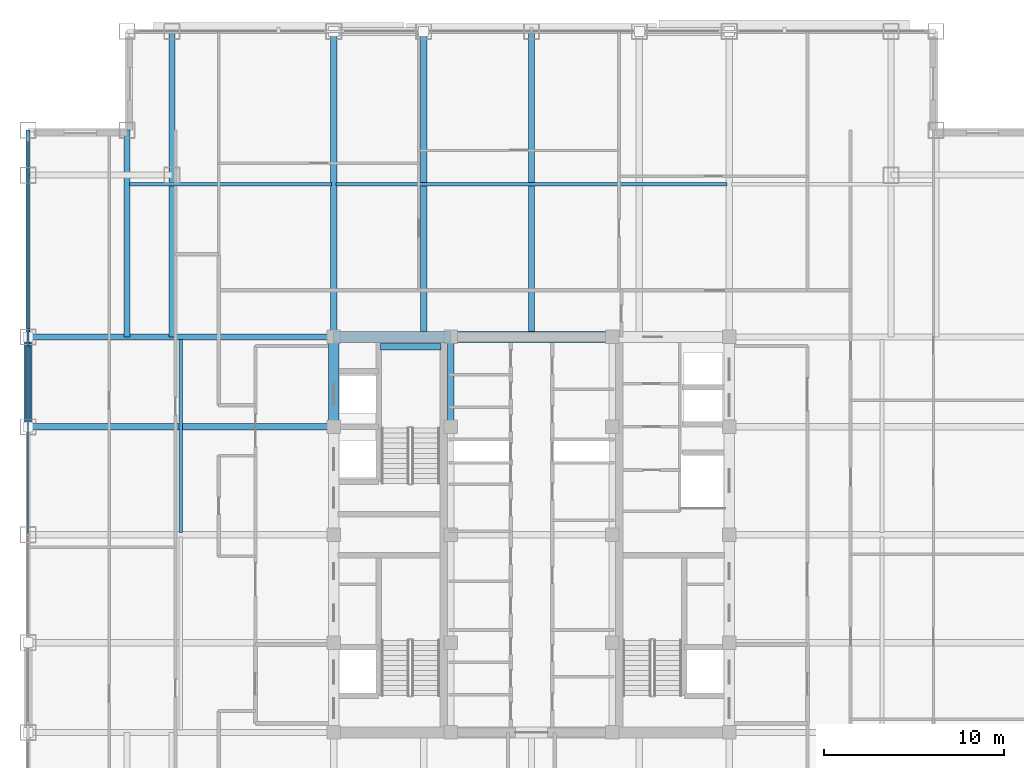
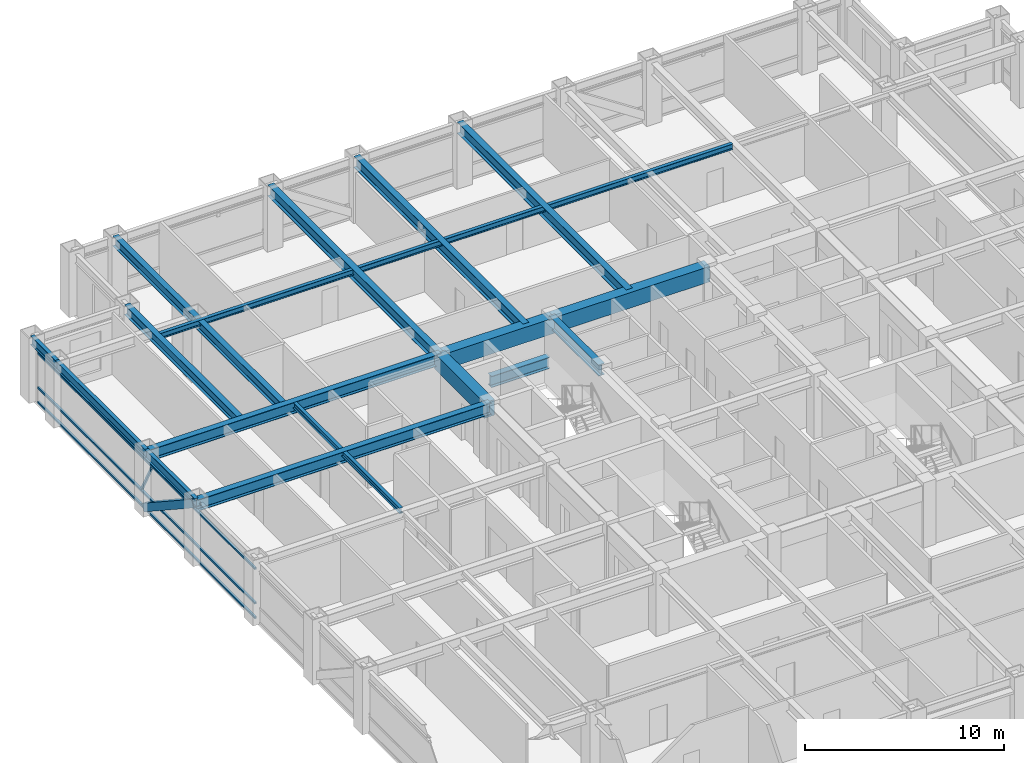
# One storey, part 11 of 27: 18 beams, 5 members, 1 element without a shape of its own.
"""IFC4 building model written with IfcOpenShell, lengths in metres."""

from ifc_helpers import new_model, si_unit, direction, frame, origin, origin_2d, place, context, subcontext, project, spatial, rectangle, hollow_rectangle, i_section, extrude, source, transform, mapped, material, material_profile, profile_set, type_object, element, aggregate, save


model = new_model("IFC4")

# Units and contexts
model_context = context("Model", 3, precision=1e-05, world=origin(), true_north=direction((0.0, 1.0)))
body_context = subcontext(model_context, "Body", "Model", "MODEL_VIEW")
ifc_project = project(units=[si_unit("LENGTHUNIT", "METRE"), si_unit("AREAUNIT", "SQUARE_METRE"), si_unit("VOLUMEUNIT", "CUBIC_METRE"), si_unit("PLANEANGLEUNIT", "RADIAN"), si_unit("MASSUNIT", "GRAM", prefix="KILO")], contexts=[model_context])

# Site, building, storey
site_placement = place(None, origin())
site = spatial("IfcSite", under=ifc_project, at=site_placement, CompositionType="ELEMENT")
building_placement = place(site_placement, origin())
building = spatial("IfcBuilding", under=site, at=building_placement, Name="Khorayat Bourse Tower", CompositionType="ELEMENT")
storey_placement = place(building_placement, frame((0.0, 0.0, 285.5)))
storey = spatial("IfcBuildingStorey", under=building, at=storey_placement, Name="L67", CompositionType="ELEMENT", Elevation=285.5)

# Beams
ifc_material_1 = material(Name="Steel ASTM A992 Grade 50", Category="steel")
ifc_material_profile_1 = material_profile(ifc_material_1, i_section(OverallWidth=0.35498046875, OverallDepth=0.695068359375, WebThickness=0.015380859375, FlangeThickness=0.02490234375, FilletRadius=0.01806640625, at=origin_2d()), Name="W690X217")
ifc_profile_set_1 = profile_set([ifc_material_profile_1], Name="Steel ASTM A992 Grade 50")
beam_type_1 = type_object("IfcBeamType", Name="BM-GIRD-690", PredefinedType="BEAM", material=ifc_profile_set_1)
shared_shape_1 = source(origin(), body_context, "Body", "SweptSolid", [
    extrude(i_section(OverallWidth=0.35498046875, OverallDepth=0.695068359375, WebThickness=0.015380859375, FlangeThickness=0.02490234375, FilletRadius=0.01806640625, at=origin_2d()), origin(), (0.0, 0.0, 1.0), 5.0),
])
beam_1_placement = place(storey_placement, frame((-4.5, 6.0, 3.4326171875), z_axis=(0.0, 1.0, 0.0), x_axis=(-1.0, 0.0, 0.0)))
element("IfcBeam", 1, at=beam_1_placement, inside=storey, type_object=beam_type_1, Name="L67 BM-GIRD-690 BM-L67-CRX-08", PredefinedType="BEAM", context=body_context, shape_type="MappedRepresentation", body=[
    mapped(shared_shape_1, transform((0.0, 0.0, 0.0), scale=1.0)),
])
shared_shape_2 = source(origin(), body_context, "Body", "SweptSolid", [
    extrude(i_section(OverallWidth=0.35498046875, OverallDepth=0.695068359375, WebThickness=0.015380859375, FlangeThickness=0.02490234375, FilletRadius=0.01806640625, at=origin_2d()), origin(), (0.0, 0.0, 1.0), 3.39990234375),
])
beam_2_placement = place(storey_placement, frame((-8.419921875, 10.449951171875, 1.452392578125), z_axis=(1.0, 0.0, 0.0), x_axis=(0.0, 1.0, 0.0)))
element("IfcBeam", 2, at=beam_2_placement, inside=storey, type_object=beam_type_1, Name="L67 BM-GIRD-690 BM-L67-ST2L", PredefinedType="BEAM", context=body_context, shape_type="MappedRepresentation", body=[
    mapped(shared_shape_2, transform((0.0, 0.0, 0.0), scale=1.0)),
])
ifc_material_profile_2 = material_profile(ifc_material_1, i_section(OverallWidth=0.324951171875, OverallDepth=0.615966796875, WebThickness=0.013916015625, FlangeThickness=0.021484375, FilletRadius=0.01611328125, at=origin_2d()), Name="W610X174")
ifc_profile_set_2 = profile_set([ifc_material_profile_2], Name="Steel ASTM A992 Grade 50")
beam_type_2 = type_object("IfcBeamType", Name="BM-GIRD-610", PredefinedType="BEAM", material=ifc_profile_set_2)
shared_shape_3 = source(origin(), body_context, "Body", "SweptSolid", [
    extrude(i_section(OverallWidth=0.324951171875, OverallDepth=0.615966796875, WebThickness=0.013916015625, FlangeThickness=0.021484375, FilletRadius=0.01611328125, at=origin_2d()), origin(), (0.0, 0.0, 1.0), 17.0),
])
beam_3_placement = place(storey_placement, frame((-20.0, 11.0, 3.471923828125), z_axis=(0.0, 1.0, 0.0), x_axis=(-1.0, 0.0, 0.0)))
element("IfcBeam", 3, at=beam_3_placement, inside=storey, type_object=beam_type_2, Name="L67 BM-GIRD-610 BM-L67-CNRY-085", PredefinedType="BEAM", context=body_context, shape_type="MappedRepresentation", body=[
    mapped(shared_shape_3, transform((0.0, 0.0, 0.0), scale=1.0)),
])
ifc_material_2 = material(Name="Concrete C60/75", Category="concrete")
ifc_material_profile_3 = material_profile(ifc_material_2, rectangle(XDim=0.60009765625, YDim=0.949951171875, at=origin_2d()), Name="RC 600x950")
ifc_profile_set_3 = profile_set([ifc_material_profile_3], Name="Concrete C60/75")
beam_type_3 = type_object("IfcBeamType", Name="BM-COUP-950", PredefinedType="BEAM", material=ifc_profile_set_3)
shared_shape_4 = source(origin(), body_context, "Body", "SweptSolid", [
    extrude(rectangle(XDim=0.60009765625, YDim=0.949951171875, at=origin_2d()), origin(), (0.0, 0.0, 1.0), 5.0),
])
beam_4_placement = place(storey_placement, frame((-11.0, 6.0, 3.304931640625), z_axis=(0.0, 1.0, 0.0), x_axis=(-1.0, 0.0, 0.0)))
element("IfcBeam", 4, at=beam_4_placement, inside=storey, type_object=beam_type_3, Name="L67 BM-COUP-950 BM-L67-CRX-04", PredefinedType="BEAM", context=body_context, shape_type="MappedRepresentation", body=[
    mapped(shared_shape_4, transform((0.0, 0.0, 0.0), scale=1.0)),
])
shared_shape_5 = source(origin(), body_context, "Body", "SweptSolid", [
    extrude(rectangle(XDim=0.60009765625, YDim=0.949951171875, at=origin_2d()), origin(), (0.0, 0.0, 1.0), 6.5),
])
beam_5_placement = place(storey_placement, frame((-11.0, 11.0, 3.304931640625), z_axis=(1.0, 0.0, 0.0), x_axis=(0.0, 1.0, 0.0)))
element("IfcBeam", 5, at=beam_5_placement, inside=storey, type_object=beam_type_3, Name="L67 BM-COUP-950 BM-L67-CRY-20", PredefinedType="BEAM", context=body_context, shape_type="MappedRepresentation", body=[
    mapped(shared_shape_5, transform((0.0, 0.0, 0.0), scale=1.0)),
])
shared_shape_6 = source(origin(), body_context, "Body", "SweptSolid", [
    extrude(rectangle(XDim=0.60009765625, YDim=0.949951171875, at=origin_2d()), origin(), (0.0, 0.0, 1.0), 9.0),
])
beam_6_placement = place(storey_placement, frame((-4.5, 11.0, 3.304931640625), z_axis=(1.0, 0.0, 0.0), x_axis=(0.0, 1.0, 0.0)))
element("IfcBeam", 6, at=beam_6_placement, inside=storey, type_object=beam_type_3, Name="L67 BM-COUP-950 BM-L67-CRY-21", PredefinedType="BEAM", context=body_context, shape_type="MappedRepresentation", body=[
    mapped(shared_shape_6, transform((0.0, 0.0, 0.0), scale=1.0)),
])

# Member
ifc_material_3 = material(Name="Steel EN 10025-4 S460M", Category="steel")
ifc_material_profile_4 = material_profile(ifc_material_3, hollow_rectangle(XDim=0.449951171875, YDim=0.449951171875, WallThickness=0.02490234375, at=origin_2d()), Name="HSS 450x450x25")
ifc_profile_set_4 = profile_set([ifc_material_profile_4], Name="Steel EN 10025-4 S460M")
member_type_1 = type_object("IfcMemberType", Name="MBR-TUBE-450", PredefinedType="BRACE", material=ifc_profile_set_4)
shared_shape_7 = source(origin(), body_context, "Body", "SweptSolid", [
    extrude(hollow_rectangle(XDim=0.449951171875, YDim=0.449951171875, WallThickness=0.02490234375, at=origin_2d()), origin(), (0.0, 0.0, 1.0), 5.979736328125),
])
member_1_placement = place(storey_placement, frame((-28.0, 6.0, 3.530029296875), z_axis=(0.0, 0.836141536525, -0.548513747227), x_axis=(-1.0, 0.0, 0.0)))
element("IfcMember", 7, at=member_1_placement, inside=storey, type_object=member_type_1, Name="L67 Perimeter Tube Brace 06", PredefinedType="BRACE", context=body_context, shape_type="MappedRepresentation", body=[
    mapped(shared_shape_7, transform((0.0, 0.0, 0.0), scale=1.0)),
])

# Beams
shared_shape_8 = source(origin(), body_context, "Body", "SweptSolid", [
    extrude(i_section(OverallWidth=0.35498046875, OverallDepth=0.695068359375, WebThickness=0.015380859375, FlangeThickness=0.02490234375, FilletRadius=0.01806640625, at=origin_2d()), origin(), (0.0, 0.0, 1.0), 17.0),
])
for number, where, z_axis, x_axis, name in (
    (8, (-11.0, 11.0, 3.4326171875), (0.0, 1.0, 0.0), (-1.0, 0.0, 0.0), "L67 BM-GIRD-690 BM-L67-RADY-064"),
    (9, (-6.0, 11.0, 3.4326171875), (0.0, 1.0, 0.0), (-1.0, 0.0, 0.0), "L67 BM-GIRD-690 BM-L67-RADY-066"),
    (10, (0.0, 11.0, 3.4326171875), (0.0, 1.0, 0.0), (-1.0, 0.0, 0.0), "L67 BM-GIRD-690 BM-L67-RADY-068"),
    (11, (-28.0, 6.0, 3.4326171875), (1.0, 0.0, 0.0), (0.0, 1.0, 0.0), "L67 BM-GIRD-690 BM-L67-RADX-081"),
    (12, (-28.0, 11.0, 3.4326171875), (1.0, 0.0, 0.0), (0.0, 1.0, 0.0), "L67 BM-GIRD-690 BM-L67-RADX-083"),
):
    element("IfcBeam", number, at=place(storey_placement, frame(where, z_axis=z_axis, x_axis=x_axis)), inside=storey, type_object=beam_type_1, Name=name, PredefinedType="BEAM", context=body_context, shape_type="MappedRepresentation", body=[
        mapped(shared_shape_8, transform((0.0, 0.0, 0.0), scale=1.0)),
    ])
shared_shape_9 = source(origin(), body_context, "Body", "SweptSolid", [
    extrude(i_section(OverallWidth=0.324951171875, OverallDepth=0.615966796875, WebThickness=0.013916015625, FlangeThickness=0.021484375, FilletRadius=0.01611328125, at=origin_2d()), origin(), (0.0, 0.0, 1.0), 11.5),
])
beam_7_placement = place(storey_placement, frame((-22.5, 11.0, 3.471923828125), z_axis=(0.0, 1.0, 0.0), x_axis=(-1.0, 0.0, 0.0)))
element("IfcBeam", 13, at=beam_7_placement, inside=storey, type_object=beam_type_2, Name="L67 BM-GIRD-610 BM-L67-CNRY-089", PredefinedType="BEAM", context=body_context, shape_type="MappedRepresentation", body=[
    mapped(shared_shape_9, transform((0.0, 0.0, 0.0), scale=1.0)),
])
ifc_material_profile_5 = material_profile(ifc_material_1, i_section(OverallWidth=0.202880859375, OverallDepth=0.346923828125, WebThickness=0.0078125, FlangeThickness=0.013427734375, FilletRadius=0.010009765625, at=origin_2d()), Name="W360X64")
ifc_profile_set_5 = profile_set([ifc_material_profile_5], Name="Steel ASTM A992 Grade 50")
beam_type_4 = type_object("IfcBeamType", Name="BM-JOIST-360", PredefinedType="JOIST", material=ifc_profile_set_5)
shared_shape_10 = source(origin(), body_context, "Body", "SweptSolid", [
    extrude(i_section(OverallWidth=0.202880859375, OverallDepth=0.346923828125, WebThickness=0.0078125, FlangeThickness=0.013427734375, FilletRadius=0.010009765625, at=origin_2d()), origin(), (0.0, 0.0, 1.0), 11.240234375),
])
beam_8_placement = place(storey_placement, frame((-22.3701171875, 19.5, 3.6064453125), z_axis=(1.0, 0.0, 0.0), x_axis=(0.0, 1.0, 0.0)))
element("IfcBeam", 14, at=beam_8_placement, inside=storey, type_object=beam_type_4, Name="L67 BM-JOIST-360 BM-L67-JSTX-099", PredefinedType="JOIST", context=body_context, shape_type="MappedRepresentation", body=[
    mapped(shared_shape_10, transform((0.0, 0.0, 0.0), scale=1.0)),
])
shared_shape_11 = source(origin(), body_context, "Body", "SweptSolid", [
    extrude(i_section(OverallWidth=0.202880859375, OverallDepth=0.346923828125, WebThickness=0.0078125, FlangeThickness=0.013427734375, FilletRadius=0.010009765625, at=origin_2d()), origin(), (0.0, 0.0, 1.0), 21.740234375),
])
beam_9_placement = place(storey_placement, frame((-10.8701171875, 19.5, 3.6064453125), z_axis=(1.0, 0.0, 0.0), x_axis=(0.0, 1.0, 0.0)))
element("IfcBeam", 15, at=beam_9_placement, inside=storey, type_object=beam_type_4, Name="L67 BM-JOIST-360 BM-L67-JSTX-100", PredefinedType="JOIST", context=body_context, shape_type="MappedRepresentation", body=[
    mapped(shared_shape_11, transform((0.0, 0.0, 0.0), scale=1.0)),
])
shared_shape_12 = source(origin(), body_context, "Body", "SweptSolid", [
    extrude(i_section(OverallWidth=0.202880859375, OverallDepth=0.346923828125, WebThickness=0.0078125, FlangeThickness=0.013427734375, FilletRadius=0.010009765625, at=origin_2d()), origin(), (0.0, 0.0, 1.0), 10.740234375),
])
beam_10_placement = place(storey_placement, frame((-19.5, 0.1298828125, 3.6064453125), z_axis=(0.0, 1.0, 0.0), x_axis=(-1.0, 0.0, 0.0)))
element("IfcBeam", 16, at=beam_10_placement, inside=storey, type_object=beam_type_4, Name="L67 BM-JOIST-360 BM-L67-JSTY-103", PredefinedType="JOIST", context=body_context, shape_type="MappedRepresentation", body=[
    mapped(shared_shape_12, transform((0.0, 0.0, 0.0), scale=1.0)),
])
ifc_material_profile_6 = material_profile(ifc_material_1, i_section(OverallWidth=0.214111328125, OverallDepth=0.549072265625, WebThickness=0.0146484375, FlangeThickness=0.023681640625, FilletRadius=0.013916015625, at=origin_2d()), Name="W530X138")
ifc_profile_set_6 = profile_set([ifc_material_profile_6], Name="Steel ASTM A992 Grade 50")
beam_type_5 = type_object("IfcBeamType", Name="BM-SPAN-530", PredefinedType="SPANDREL", material=ifc_profile_set_6)
shared_shape_13 = source(origin(), body_context, "Body", "SweptSolid", [
    extrude(i_section(OverallWidth=0.214111328125, OverallDepth=0.549072265625, WebThickness=0.0146484375, FlangeThickness=0.023681640625, FilletRadius=0.013916015625, at=origin_2d()), origin(), (0.0, 0.0, 1.0), 2.5),
])
beam_11_placement = place(storey_placement, frame((-28.0, 20.0, 3.505615234375), z_axis=(0.0, 1.0, 0.0), x_axis=(-1.0, 0.0, 0.0)))
element("IfcBeam", 17, at=beam_11_placement, inside=storey, type_object=beam_type_5, Name="L67 BM-SPAN-530 BM-L67-SPN-054", PredefinedType="SPANDREL", context=body_context, shape_type="MappedRepresentation", body=[
    mapped(shared_shape_13, transform((0.0, 0.0, 0.0), scale=1.0)),
])
shared_shape_14 = source(origin(), body_context, "Body", "SweptSolid", [
    extrude(i_section(OverallWidth=0.214111328125, OverallDepth=0.549072265625, WebThickness=0.0146484375, FlangeThickness=0.023681640625, FilletRadius=0.013916015625, at=origin_2d()), origin(), (0.0, 0.0, 1.0), 9.0),
])
beam_12_placement = place(storey_placement, frame((-28.0, 11.0, 3.505615234375), z_axis=(0.0, 1.0, 0.0), x_axis=(-1.0, 0.0, 0.0)))
element("IfcBeam", 18, at=beam_12_placement, inside=storey, type_object=beam_type_5, Name="L67 BM-SPAN-530 BM-L67-SPN-055", PredefinedType="SPANDREL", context=body_context, shape_type="MappedRepresentation", body=[
    mapped(shared_shape_14, transform((0.0, 0.0, 0.0), scale=1.0)),
])
shared_shape_15 = source(origin(), body_context, "Body", "SweptSolid", [
    extrude(i_section(OverallWidth=0.214111328125, OverallDepth=0.549072265625, WebThickness=0.0146484375, FlangeThickness=0.023681640625, FilletRadius=0.013916015625, at=origin_2d()), origin(), (0.0, 0.0, 1.0), 5.0),
])
beam_13_placement = place(storey_placement, frame((-28.0, 6.0, 3.505615234375), z_axis=(0.0, 1.0, 0.0), x_axis=(-1.0, 0.0, 0.0)))
element("IfcBeam", 19, at=beam_13_placement, inside=storey, type_object=beam_type_5, Name="L67 BM-SPAN-530 BM-L67-SPN-056", PredefinedType="SPANDREL", context=body_context, shape_type="MappedRepresentation", body=[
    mapped(shared_shape_15, transform((0.0, 0.0, 0.0), scale=1.0)),
])

# Curtain wall, members
ifc_material_4 = material(Name="Aluminium EN AW-6063 T6", Category="aluminium")
curtain_wall_type = type_object("IfcCurtainWallType", Name="CW-SYS-04", PredefinedType="NOTDEFINED", material=ifc_material_4)
curtain_wall_placement = place(storey_placement, origin())
curtain_wall = element("IfcCurtainWall", 20, at=curtain_wall_placement, inside=storey, type_object=curtain_wall_type, Name="L67 Curtain Wall CW-L67-W1", PredefinedType="NOTDEFINED")
ifc_material_profile_7 = material_profile(ifc_material_4, hollow_rectangle(XDim=0.1201171875, YDim=0.1201171875, WallThickness=0.0048828125, at=origin_2d()), Name="ALU 120x120x5")
ifc_profile_set_7 = profile_set([ifc_material_profile_7], Name="Aluminium EN AW-6063 T6")
member_type_2 = type_object("IfcMemberType", Name="CWM-DIAG-120", PredefinedType="MULLION", material=ifc_profile_set_7)
shared_shape_16 = source(origin(), body_context, "Body", "SweptSolid", [
    extrude(hollow_rectangle(XDim=0.1201171875, YDim=0.1201171875, WallThickness=0.0048828125, at=origin_2d()), origin(), (0.0, 0.0, 1.0), 2.0791015625),
])
member_2_placement = place(storey_placement, frame((-28.0, 11.4541015625, 1.090087890625), z_axis=(0.0, -0.465717394116, 0.884933505309), x_axis=(1.0, 0.0, 0.0)))
member_2 = element("IfcMember", 21, at=member_2_placement, type_object=member_type_2, Name="CW-L67-W1 Faceted Diagonal Mullion 2", PredefinedType="MULLION", context=body_context, shape_type="MappedRepresentation", body=[
    mapped(shared_shape_16, transform((0.0, 0.0, 0.0), scale=1.0)),
])
ifc_material_profile_8 = material_profile(ifc_material_4, hollow_rectangle(XDim=0.1201171875, YDim=0.1201171875, WallThickness=0.0048828125, at=origin_2d()), Name="ALU 120x120x5")
ifc_profile_set_8 = profile_set([ifc_material_profile_8], Name="Aluminium EN AW-6063 T6")
member_type_3 = type_object("IfcMemberType", Name="CWT-HORZ-120", PredefinedType="USERDEFINED", material=ifc_profile_set_8)
shared_shape_17 = source(origin(), body_context, "Body", "SweptSolid", [
    extrude(hollow_rectangle(XDim=0.1201171875, YDim=0.1201171875, WallThickness=0.0048828125, at=origin_2d()), origin(), (0.0, 0.0, 1.0), 21.81982421875),
])
member_3_placement = place(storey_placement, frame((-28.0, 0.06005859375, 0.06005859375), z_axis=(0.0, 1.0, 0.0), x_axis=(-1.0, 0.0, 0.0)))
member_3 = element("IfcMember", 22, at=member_3_placement, type_object=member_type_3, Name="CW-L67-W1 Horizontal Transom 2-1", ObjectType="TRANSOM", PredefinedType="USERDEFINED", context=body_context, shape_type="MappedRepresentation", body=[
    mapped(shared_shape_17, transform((0.0, 0.0, 0.0), scale=1.0)),
])
member_4_placement = place(storey_placement, frame((-28.0, 0.06005859375, 0.949951171875), z_axis=(0.0, 1.0, 0.0), x_axis=(-1.0, 0.0, 0.0)))
member_4 = element("IfcMember", 23, at=member_4_placement, type_object=member_type_3, Name="CW-L67-W1 Horizontal Transom 2-2", ObjectType="TRANSOM", PredefinedType="USERDEFINED", context=body_context, shape_type="MappedRepresentation", body=[
    mapped(shared_shape_17, transform((0.0, 0.0, 0.0), scale=1.0)),
])
member_5_placement = place(storey_placement, frame((-28.0, 0.06005859375, 3.070068359375), z_axis=(0.0, 1.0, 0.0), x_axis=(-1.0, 0.0, 0.0)))
member_5 = element("IfcMember", 24, at=member_5_placement, type_object=member_type_3, Name="CW-L67-W1 Horizontal Transom 2-3", ObjectType="TRANSOM", PredefinedType="USERDEFINED", context=body_context, shape_type="MappedRepresentation", body=[
    mapped(shared_shape_17, transform((0.0, 0.0, 0.0), scale=1.0)),
])
aggregate(curtain_wall, [member_3, member_4, member_5, member_2])

save(model, "model.ifc")
